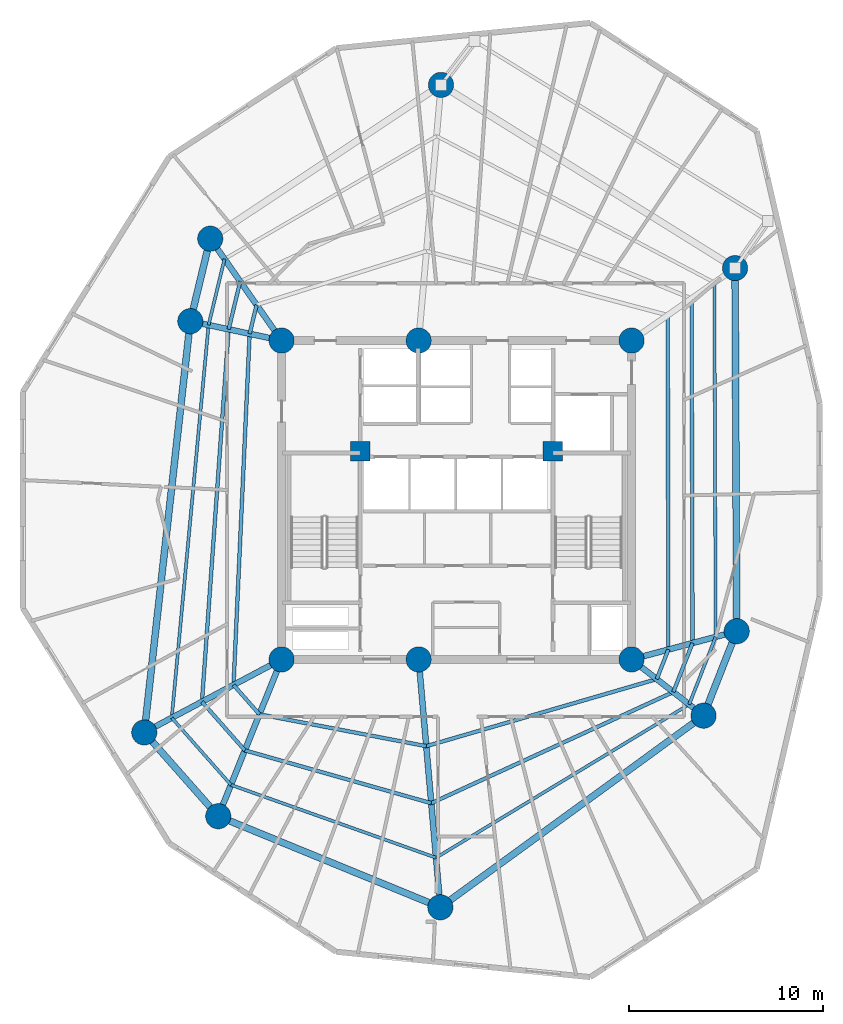
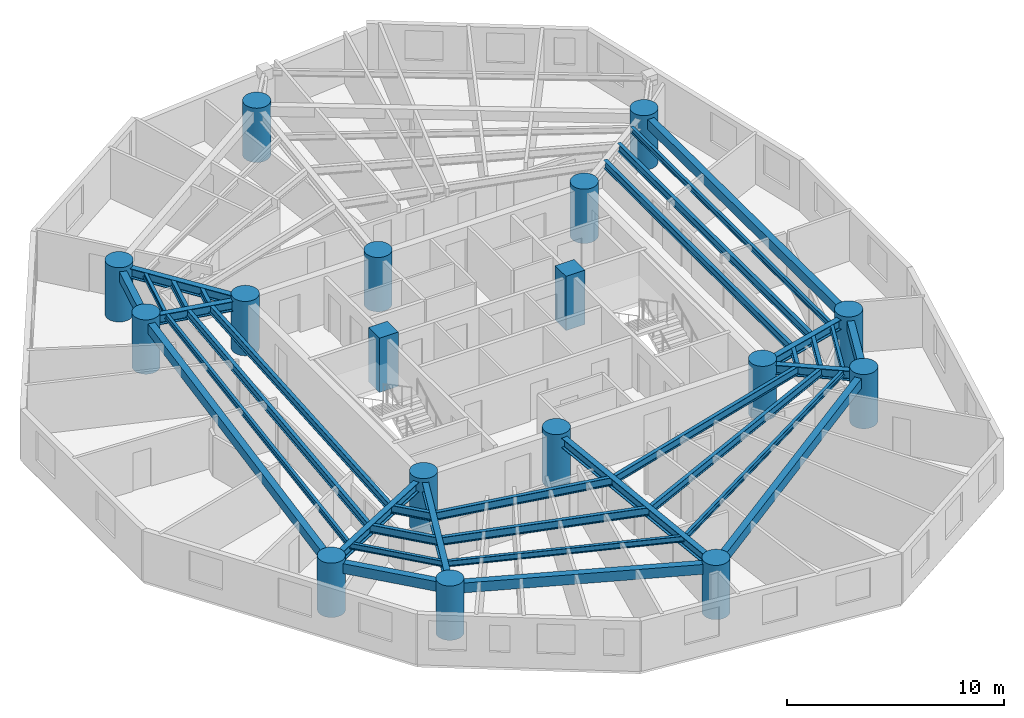
# One storey, part 1 of 8: 35 beams, 17 columns.
"""IFC4 building model written with IfcOpenShell, lengths in metres."""

import ifcopenshell
import ifcopenshell.guid

model = None  # the IFC model being written
_history = None  # IfcOwnerHistory: only IFC2X3 demands one
_inside = {}  # id of a spatial element -> (the spatial element, [elements in it])
_under = {}  # id of a project, library or spatial element -> (it, [spatial elements below it])
_declared = {}  # id of a project -> (the project, [libraries it declares])
_typed = {}  # id of a type object -> (the type object, [elements of that type])
_made_of = {}  # id of a material, layer set ... -> (it, [elements and type objects made of it])


def new_model(schema):
    """Start an empty IFC model of exactly this schema.

    Asked for "IFC4X3", IfcOpenShell would pick the latest addendum, in which some entities
    have other attributes; the version numbers below select the first issue.
    IFC2X3 requires an IfcOwnerHistory on every rooted entity: one is made here for all.
    """
    global model, _history
    if schema == "IFC4X3":
        model = ifcopenshell.file(schema_version=(4, 3, 0, 0))
    else:
        model = ifcopenshell.file(schema=schema)
    _inside.clear()
    _under.clear()
    _declared.clear()
    _typed.clear()
    _made_of.clear()
    _history = None
    if model.schema == "IFC2X3":
        org = make("IfcOrganization", Name="unknown")
        user = make(
            "IfcPersonAndOrganization",
            ThePerson=make("IfcPerson", FamilyName="unknown"),
            TheOrganization=org,
        )
        app = make(
            "IfcApplication",
            ApplicationDeveloper=org,
            Version="unknown",
            ApplicationFullName="unknown",
            ApplicationIdentifier="unknown",
        )
        _history = make(
            "IfcOwnerHistory",
            OwningUser=user,
            OwningApplication=app,
            ChangeAction="ADDED",
            CreationDate=0,
        )
    return model


def make(cls, **values):
    """One entity of the class cls with the attributes given. An attribute that is None is left unset."""
    return model.create_entity(
        cls, **{name: value for name, value in values.items() if value is not None}
    )


def rooted(cls, **values):
    """An entity with a GlobalId (a new one), such as an element, a storey or a relation."""
    return make(cls, GlobalId=ifcopenshell.guid.new(), OwnerHistory=_history, **values)


def si_unit(unit_type, name, prefix=None):
    """IfcSIUnit, for example si_unit("LENGTHUNIT", "METRE", prefix="MILLI")."""
    return make("IfcSIUnit", UnitType=unit_type, Prefix=prefix, Name=name)


def assignment(units):
    """IfcUnitAssignment: the units of a project."""
    return None if units is None else make("IfcUnitAssignment", Units=units)


def point(xyz):
    """IfcCartesianPoint."""
    return None if xyz is None else make("IfcCartesianPoint", Coordinates=xyz)


def direction(xyz):
    """IfcDirection."""
    return None if xyz is None else make("IfcDirection", DirectionRatios=xyz)


def frame(location, z_axis=None, x_axis=None):
    """IfcAxis2Placement3D, a coordinate frame: its origin and axes. An axis left out is left unset."""
    return make(
        "IfcAxis2Placement3D",
        Location=point(location),
        Axis=direction(z_axis),
        RefDirection=direction(x_axis),
    )


def frame_2d(location, x_axis=None):
    """IfcAxis2Placement2D, a coordinate frame in the plane: its origin and x axis."""
    return make(
        "IfcAxis2Placement2D", Location=point(location), RefDirection=direction(x_axis)
    )


def origin():
    """The frame at (0, 0, 0) with its axes left unset."""
    return frame((0.0, 0.0, 0.0))


def origin_with_axes():
    """The frame at (0, 0, 0) with the z axis (0, 0, 1) and the x axis (1, 0, 0) written out."""
    return frame((0.0, 0.0, 0.0), z_axis=(0.0, 0.0, 1.0), x_axis=(1.0, 0.0, 0.0))


def origin_2d():
    """The frame at (0, 0) in the plane with its x axis left unset."""
    return frame_2d((0.0, 0.0))


def place(relative_to, where):
    """IfcLocalPlacement: puts the frame where relative to a parent placement (None: the world)."""
    return make(
        "IfcLocalPlacement", PlacementRelTo=relative_to, RelativePlacement=where
    )


def context(
    kind, dimensions, precision=None, world=None, true_north=None, identifier=None
):
    """IfcGeometricRepresentationContext, for example the 3D "Model" context."""
    return make(
        "IfcGeometricRepresentationContext",
        ContextIdentifier=identifier,
        ContextType=kind,
        CoordinateSpaceDimension=dimensions,
        Precision=precision,
        WorldCoordinateSystem=world,
        TrueNorth=true_north,
    )


def subcontext(parent, identifier, kind, view, scale=None):
    """IfcGeometricRepresentationSubContext, for example "Body" below "Model"."""
    return make(
        "IfcGeometricRepresentationSubContext",
        ContextIdentifier=identifier,
        ContextType=kind,
        ParentContext=parent,
        TargetScale=scale,
        TargetView=view,
    )


def project(units=None, contexts=None):
    """IfcProject with its units and contexts."""
    return rooted(
        "IfcProject",
        Name="project",
        RepresentationContexts=contexts,
        UnitsInContext=assignment(units),
    )


def spatial(cls, under=None, at=None, **own):
    """A site, building, storey or space (cls), placed at a placement, below another one or the project."""
    s = rooted(cls, ObjectPlacement=at, **own)
    if under is not None:
        _under.setdefault(under.id(), (under, []))[1].append(s)
    return s


def profile(cls, at=None, kind="AREA", **sizes):
    """A parametric profile (cls). Its sizes go by their IFC names, for example OverallWidth=200.0."""
    return make(cls, ProfileType=kind, Position=at, **sizes)


def rectangle(**sizes):
    """IfcRectangleProfileDef."""
    return profile("IfcRectangleProfileDef", **sizes)


def circle(**sizes):
    """IfcCircleProfileDef."""
    return profile("IfcCircleProfileDef", **sizes)


def i_section(**sizes):
    """IfcIShapeProfileDef."""
    return profile("IfcIShapeProfileDef", **sizes)


def extrude(swept, where, along, depth):
    """IfcExtrudedAreaSolid: the profile swept, set in the frame where, extruded along a direction by depth."""
    return make(
        "IfcExtrudedAreaSolid",
        SweptArea=swept,
        Position=where,
        ExtrudedDirection=direction(along),
        Depth=depth,
    )


def shape(context_of_items, identifier, shape_type, items):
    """IfcShapeRepresentation: the items that make up one representation, for example the "Body"."""
    return make(
        "IfcShapeRepresentation",
        ContextOfItems=context_of_items,
        RepresentationIdentifier=identifier,
        RepresentationType=shape_type,
        Items=items,
    )


def source(mapping_origin, context_of_items, identifier, shape_type, items):
    """IfcRepresentationMap: a shape defined once, which mapped items show again and again."""
    return make(
        "IfcRepresentationMap",
        MappingOrigin=mapping_origin,
        MappedRepresentation=shape(context_of_items, identifier, shape_type, items),
    )


def transform(
    local_origin,
    x_axis=None,
    y_axis=None,
    z_axis=None,
    scale=None,
    scale2=None,
    scale3=None,
    uniform=True,
):
    """IfcCartesianTransformationOperator3D, or its non-uniform kind. x_axis, y_axis, z_axis: its Axis1, 2, 3."""
    if uniform:
        return make(
            "IfcCartesianTransformationOperator3D",
            Axis1=direction(x_axis),
            Axis2=direction(y_axis),
            LocalOrigin=point(local_origin),
            Scale=scale,
            Axis3=direction(z_axis),
        )
    return make(
        "IfcCartesianTransformationOperator3DnonUniform",
        Axis1=direction(x_axis),
        Axis2=direction(y_axis),
        LocalOrigin=point(local_origin),
        Scale=scale,
        Axis3=direction(z_axis),
        Scale2=scale2,
        Scale3=scale3,
    )


def mapped(mapping_source, mapping_target):
    """IfcMappedItem: shows the shape of a source again, moved by a transform."""
    return make(
        "IfcMappedItem", MappingSource=mapping_source, MappingTarget=mapping_target
    )


def material(Name=None, Category=None):
    """IfcMaterial."""
    return make("IfcMaterial", Name=Name, Category=Category)


def material_profile(
    of_material, cross_section, Name=None, Category=None, Priority=None
):
    """IfcMaterialProfile: a cross section and its material."""
    return make(
        "IfcMaterialProfile",
        Name=Name,
        Material=of_material,
        Profile=cross_section,
        Priority=Priority,
        Category=Category,
    )


def profile_set(profiles, Name=None, composite=None):
    """IfcMaterialProfileSet."""
    return make(
        "IfcMaterialProfileSet",
        Name=Name,
        MaterialProfiles=profiles,
        CompositeProfile=composite,
    )


def made_of(thing, what):
    """Note that an element or type object is made of a material, layer set ...; save() writes the relation."""
    if what is not None:
        _made_of.setdefault(what.id(), (what, []))[1].append(thing)
    return thing


def type_object(cls, material=None, **own):
    """A type object (cls), such as IfcWallType, which elements share."""
    return made_of(rooted(cls, **own), material)


def element(
    cls,
    number,
    at=None,
    inside=None,
    cuts=None,
    type_object=None,
    material=None,
    context=None,
    identifier="Body",
    shape_type=None,
    held_by="IfcProductDefinitionShape",
    body=None,
    shapes=None,
    **own,
):
    """One element of the class cls, such as IfcWall. Its Tag is "e" and its number.

    at: its placement. inside: the storey or other place that contains it. cuts: it is an
    opening in that element (IfcRelVoidsElement). A single representation is given by context,
    identifier, shape_type and body (its items); several are given by shapes. held_by: the class
    of the entity that holds the representations. save() writes the other relations.
    """
    e = rooted(cls, Tag="e%d" % number, ObjectPlacement=at, **own)
    if body is not None:
        shapes = [shape(context, identifier, shape_type, body)]
    if shapes is not None:
        e.Representation = make(held_by, Representations=shapes)
    if inside is not None:
        _inside.setdefault(inside.id(), (inside, []))[1].append(e)
    if cuts is not None:
        rooted(
            "IfcRelVoidsElement", RelatingBuildingElement=cuts, RelatedOpeningElement=e
        )
    if type_object is not None:
        _typed.setdefault(type_object.id(), (type_object, []))[1].append(e)
    return made_of(e, material)


def aggregate(whole, parts):
    """IfcRelAggregates: a whole, such as a stair, and the parts it consists of."""
    return rooted("IfcRelAggregates", RelatingObject=whole, RelatedObjects=parts)


def save(model, path):
    """Write the relations noted so far, then the file.

    IfcRelAggregates (storeys below a building ...), IfcRelContainedInSpatialStructure (elements
    in a storey), IfcRelDefinesByType, IfcRelAssociatesMaterial and IfcRelDeclares: one each for
    every whole, place, type object, material and project.
    """
    for whole, parts in _under.values():
        aggregate(whole, parts)
    for where, things in _inside.values():
        rooted(
            "IfcRelContainedInSpatialStructure",
            RelatedElements=things,
            RelatingStructure=where,
        )
    for kind, things in _typed.values():
        rooted("IfcRelDefinesByType", RelatedObjects=things, RelatingType=kind)
    for what, things in _made_of.values():
        rooted("IfcRelAssociatesMaterial", RelatedObjects=things, RelatingMaterial=what)
    for by, libraries in _declared.values():
        rooted("IfcRelDeclares", RelatingContext=by, RelatedDefinitions=libraries)
    model.write(path)


model = new_model("IFC4")

# Units and contexts
model_context = context("Model", 3, precision=1e-05, world=origin(), true_north=direction((0.0, 1.0)))
body_context = subcontext(model_context, "Body", "Model", "MODEL_VIEW")
ifc_project = project(units=[si_unit("LENGTHUNIT", "METRE"), si_unit("AREAUNIT", "SQUARE_METRE"), si_unit("VOLUMEUNIT", "CUBIC_METRE"), si_unit("PLANEANGLEUNIT", "RADIAN"), si_unit("MASSUNIT", "GRAM", prefix="KILO")], contexts=[model_context])

# Site, building, storey
site_placement = place(None, origin())
site = spatial("IfcSite", under=ifc_project, at=site_placement, CompositionType="ELEMENT")
building_placement = place(site_placement, origin())
building = spatial("IfcBuilding", under=site, at=building_placement, Name="Karkom Vertical University and Central Library", CompositionType="ELEMENT")
storey_placement = place(building_placement, frame((0.0, 0.0, 187.050048828125)))
storey = spatial("IfcBuildingStorey", under=building, at=storey_placement, Name="L54", CompositionType="ELEMENT", Elevation=187.050048828125)

# Columns
ifc_material_1 = material(Name="Concrete C50/60", Category="concrete")
ifc_material_profile_1 = material_profile(ifc_material_1, circle(Radius=0.64990234375, at=origin_2d()), Name="CFT-D1300")
ifc_profile_set_1 = profile_set([ifc_material_profile_1], Name="Concrete C50/60")
column_type_1 = type_object("IfcColumnType", Name="STR-COL-C-SC4", PredefinedType="COLUMN", material=ifc_profile_set_1)
shared_shape_1 = source(origin_with_axes(), body_context, "Body", "SweptSolid", [
    extrude(circle(Radius=0.64990234375, at=origin_2d()), origin(), (0.0, 0.0, 1.0), 3.050048828125),
])
for number, where, z_axis, x_axis, name in (
    (1, (19.5, 18.300048828125, 0.0), (0.0, 0.0, 1.0), (1.0, 0.0, 0.0), "Level 54 Spine Mega-Column SC-1"),
    (2, (26.550048828125, 18.300048828125, 0.0), (0.0, 0.0, 1.0), (1.0, 0.0, 0.0), "Level 54 Spine Mega-Column SC-2"),
    (3, (37.5, 18.300048828125, 0.0), (0.0, 0.0, 1.0), (1.0, 0.0, 0.0), "Level 54 Spine Mega-Column SC-3"),
    (4, (19.5, 34.699951171875, 0.0), (0.0, 0.0, 1.0), (1.0, 0.0, 0.0), "Level 54 Spine Mega-Column SC-4"),
    (5, (26.550048828125, 34.699951171875, 0.0), (0.0, 0.0, 1.0), (1.0, 0.0, 0.0), "Level 54 Spine Mega-Column SC-5"),
    (6, (37.5, 34.699951171875, 0.0), (0.0, 0.0, 1.0), (1.0, 0.0, 0.0), "Level 54 Spine Mega-Column SC-6"),
    (7, (42.908935546875, 19.7490234375, 0.0), (0.0, 0.0, 1.0), (1.0, 0.0, 0.0), "Level 54 Perimeter Mega-Column Z3-PC1"),
    (8, (42.823974609375, 38.427978515625, 0.0), (0.0, 0.0, 1.0), (1.0, 0.0, 0.0), "Level 54 Perimeter Mega-Column Z3-PC2"),
    (9, (27.699951171875, 47.85009765625, 0.0), (0.0, 0.0, 1.0), (1.0, 0.0, 0.0), "Level 54 Perimeter Mega-Column Z3-PC3"),
    (10, (15.8291015625, 39.943115234375, 0.0), (0.0, 0.0, 1.0), (1.0, 0.0, 0.0), "Level 54 Perimeter Mega-Column Z3-PC4"),
    (11, (14.804931640625, 35.697998046875, 0.0), (0.0, 0.0, 1.0), (1.0, 0.0, 0.0), "Level 54 Perimeter Mega-Column Z3-PC5"),
    (12, (12.43603515625, 14.5439453125, 0.0), (0.0, 0.0, 1.0), (1.0, 0.0, 0.0), "Level 54 Perimeter Mega-Column Z3-PC6"),
    (13, (16.240966796875, 10.23388671875, 0.0), (0.0, 0.0, 1.0), (1.0, 0.0, 0.0), "Level 54 Perimeter Mega-Column Z3-PC7"),
    (14, (27.666015625, 5.549072265625, 0.0), (0.0, 0.0, 1.0), (1.0, 0.0, 0.0), "Level 54 Perimeter Mega-Column Z3-PC8"),
    (15, (41.2041015625, 15.406005859375, 0.0), (0.0, 0.0, 1.0), (1.0, 0.0, 0.0), "Level 54 Perimeter Mega-Column Z3-PC9"),
):
    element("IfcColumn", number, at=place(storey_placement, frame(where, z_axis=z_axis, x_axis=x_axis)), inside=storey, type_object=column_type_1, Name=name, PredefinedType="COLUMN", context=body_context, shape_type="MappedRepresentation", body=[
        mapped(shared_shape_1, transform((0.0, 0.0, 0.0), scale=1.0)),
    ])
ifc_material_profile_2 = material_profile(ifc_material_1, rectangle(XDim=1.0, YDim=1.0, at=origin_2d()), Name="RC-1000x1000")
ifc_profile_set_2 = profile_set([ifc_material_profile_2], Name="Concrete C50/60")
column_type_2 = type_object("IfcColumnType", Name="STR-COL-C-CC2", PredefinedType="COLUMN", material=ifc_profile_set_2)
shared_shape_2 = source(origin_with_axes(), body_context, "Body", "SweptSolid", [
    extrude(rectangle(XDim=1.0, YDim=1.0, at=origin_2d()), origin(), (0.0, 0.0, 1.0), 3.050048828125),
])
for number, where, z_axis, x_axis, name in (
    (16, (23.550048828125, 29.0, 0.0), (0.0, 0.0, 1.0), (1.0, 0.0, 0.0), "Level 54 Core Node Column CC-1"),
    (17, (33.449951171875, 29.0, 0.0), (0.0, 0.0, 1.0), (1.0, 0.0, 0.0), "Level 54 Core Node Column CC-2"),
):
    element("IfcColumn", number, at=place(storey_placement, frame(where, z_axis=z_axis, x_axis=x_axis)), inside=storey, type_object=column_type_2, Name=name, PredefinedType="COLUMN", context=body_context, shape_type="MappedRepresentation", body=[
        mapped(shared_shape_2, transform((0.0, 0.0, 0.0), scale=1.0)),
    ])

# Beams
ifc_material_2 = material(Name="Precast concrete C45/55", Category="concrete")
ifc_material_profile_3 = material_profile(ifc_material_2, rectangle(XDim=0.35009765625, YDim=0.550048828125, at=origin_2d()), Name="SPB-350x550")
ifc_profile_set_3 = profile_set([ifc_material_profile_3], Name="Precast concrete C45/55")
beam_type_1 = type_object("IfcBeamType", Name="STR-BM-SP-2", PredefinedType="SPANDREL", material=ifc_profile_set_3)
shared_shape_3 = source(origin_with_axes(), body_context, "Body", "SweptSolid", [
    extrude(rectangle(XDim=0.35009765625, YDim=0.550048828125, at=origin_2d()), origin(), (0.0, 0.0, 1.0), 18.67919921875),
])
beam_1_placement = place(storey_placement, frame((42.908935546875, 19.7490234375, 2.550048828125), z_axis=(-0.004548437442, 0.999989655805, 0.0), x_axis=(-0.999989655805, -0.004548437442, 0.0)))
element("IfcBeam", 18, at=beam_1_placement, inside=storey, type_object=beam_type_1, Name="Level 54 Perimeter Spandrel Beam 01", PredefinedType="SPANDREL", context=body_context, shape_type="MappedRepresentation", body=[
    mapped(shared_shape_3, transform((0.0, 0.0, 0.0), scale=1.0)),
])
shared_shape_4 = source(origin_with_axes(), body_context, "Body", "SweptSolid", [
    extrude(rectangle(XDim=0.35009765625, YDim=0.550048828125, at=origin_2d()), origin(), (0.0, 0.0, 1.0), 4.366943359375),
])
beam_2_placement = place(storey_placement, frame((15.8291015625, 39.943115234375, 2.550048828125), z_axis=(-0.234529408772, -0.972109024966, 0.0), x_axis=(0.972109024966, -0.234529408772, 0.0)))
element("IfcBeam", 19, at=beam_2_placement, inside=storey, type_object=beam_type_1, Name="Level 54 Perimeter Spandrel Beam 04", PredefinedType="SPANDREL", context=body_context, shape_type="MappedRepresentation", body=[
    mapped(shared_shape_4, transform((0.0, 0.0, 0.0), scale=1.0)),
])
shared_shape_5 = source(origin_with_axes(), body_context, "Body", "SweptSolid", [
    extrude(rectangle(XDim=0.35009765625, YDim=0.550048828125, at=origin_2d()), origin(), (0.0, 0.0, 1.0), 21.286376953125),
])
beam_3_placement = place(storey_placement, frame((14.804931640625, 35.697998046875, 2.550048828125), z_axis=(-0.111287493264, -0.993788254028, 0.0), x_axis=(0.993788254028, -0.111287493264, 0.0)))
element("IfcBeam", 20, at=beam_3_placement, inside=storey, type_object=beam_type_1, Name="Level 54 Perimeter Spandrel Beam 05", PredefinedType="SPANDREL", context=body_context, shape_type="MappedRepresentation", body=[
    mapped(shared_shape_5, transform((0.0, 0.0, 0.0), scale=1.0)),
])
shared_shape_6 = source(origin_with_axes(), body_context, "Body", "SweptSolid", [
    extrude(rectangle(XDim=0.35009765625, YDim=0.550048828125, at=origin_2d()), origin(), (0.0, 0.0, 1.0), 5.749267578125),
])
beam_4_placement = place(storey_placement, frame((12.43603515625, 14.5439453125, 2.550048828125), z_axis=(0.661811219671, -0.74967053398, 0.0), x_axis=(0.74967053398, 0.661811219671, 0.0)))
element("IfcBeam", 21, at=beam_4_placement, inside=storey, type_object=beam_type_1, Name="Level 54 Perimeter Spandrel Beam 06", PredefinedType="SPANDREL", context=body_context, shape_type="MappedRepresentation", body=[
    mapped(shared_shape_6, transform((0.0, 0.0, 0.0), scale=1.0)),
])
shared_shape_7 = source(origin_with_axes(), body_context, "Body", "SweptSolid", [
    extrude(rectangle(XDim=0.35009765625, YDim=0.550048828125, at=origin_2d()), origin(), (0.0, 0.0, 1.0), 12.34814453125),
])
beam_5_placement = place(storey_placement, frame((16.240966796875, 10.23388671875, 2.550048828125), z_axis=(0.925236428984, -0.37939102583, 0.0), x_axis=(0.37939102583, 0.925236428984, 0.0)))
element("IfcBeam", 22, at=beam_5_placement, inside=storey, type_object=beam_type_1, Name="Level 54 Perimeter Spandrel Beam 07", PredefinedType="SPANDREL", context=body_context, shape_type="MappedRepresentation", body=[
    mapped(shared_shape_7, transform((0.0, 0.0, 0.0), scale=1.0)),
])
shared_shape_8 = source(origin_with_axes(), body_context, "Body", "SweptSolid", [
    extrude(rectangle(XDim=0.35009765625, YDim=0.550048828125, at=origin_2d()), origin(), (0.0, 0.0, 1.0), 16.746337890625),
])
beam_6_placement = place(storey_placement, frame((27.666015625, 5.549072265625, 2.550048828125), z_axis=(0.808422013284, 0.588603303115, 0.0), x_axis=(-0.588603303115, 0.808422013284, 0.0)))
element("IfcBeam", 23, at=beam_6_placement, inside=storey, type_object=beam_type_1, Name="Level 54 Perimeter Spandrel Beam 08", PredefinedType="SPANDREL", context=body_context, shape_type="MappedRepresentation", body=[
    mapped(shared_shape_8, transform((0.0, 0.0, 0.0), scale=1.0)),
])
shared_shape_9 = source(origin_with_axes(), body_context, "Body", "SweptSolid", [
    extrude(rectangle(XDim=0.35009765625, YDim=0.550048828125, at=origin_2d()), origin(), (0.0, 0.0, 1.0), 4.66552734375),
])
beam_7_placement = place(storey_placement, frame((41.2041015625, 15.406005859375, 2.550048828125), z_axis=(0.365401419454, 0.930850043058, 0.0), x_axis=(-0.930850043058, 0.365401419454, 0.0)))
element("IfcBeam", 24, at=beam_7_placement, inside=storey, type_object=beam_type_1, Name="Level 54 Perimeter Spandrel Beam 09", PredefinedType="SPANDREL", context=body_context, shape_type="MappedRepresentation", body=[
    mapped(shared_shape_9, transform((0.0, 0.0, 0.0), scale=1.0)),
])
ifc_material_3 = material(Name="Steel S355", Category="steel")
ifc_material_profile_4 = material_profile(ifc_material_3, i_section(OverallWidth=0.18994140625, OverallDepth=0.449951171875, WebThickness=0.009521484375, FlangeThickness=0.0146484375, FilletRadius=0.02099609375, at=origin_2d()), Name="IPE 450")
ifc_profile_set_4 = profile_set([ifc_material_profile_4], Name="Steel S355")
beam_type_2 = type_object("IfcBeamType", Name="STR-BM-SB-IPE450", PredefinedType="BEAM", material=ifc_profile_set_4)
shared_shape_10 = source(origin_with_axes(), body_context, "Body", "SweptSolid", [
    extrude(i_section(OverallWidth=0.18994140625, OverallDepth=0.449951171875, WebThickness=0.009521484375, FlangeThickness=0.0146484375, FilletRadius=0.02099609375, at=origin_2d()), origin(), (0.0, 0.0, 1.0), 17.19775390625),
])
beam_8_placement = place(storey_placement, frame((39.39306640625, 18.80712890625, 2.599853515625), z_axis=(-0.001731918699, 0.999998500228, 0.0), x_axis=(-0.999998500228, -0.001731918699, 0.0)))
element("IfcBeam", 25, at=beam_8_placement, inside=storey, type_object=beam_type_2, Name="Level 54 Secondary Composite Floor Beam 1.01", PredefinedType="BEAM", context=body_context, shape_type="MappedRepresentation", body=[
    mapped(shared_shape_10, transform((0.0, 0.0, 0.0), scale=1.0)),
])
shared_shape_11 = source(origin_with_axes(), body_context, "Body", "SweptSolid", [
    extrude(i_section(OverallWidth=0.18994140625, OverallDepth=0.449951171875, WebThickness=0.009521484375, FlangeThickness=0.0146484375, FilletRadius=0.02099609375, at=origin_2d()), origin(), (0.0, 0.0, 1.0), 1.5283203125),
])
beam_9_placement = place(storey_placement, frame((18.215087890625, 36.534912109375, 2.599853515625), z_axis=(-0.234520804587, -0.972111100757, 0.0), x_axis=(0.972111100757, -0.234520804587, 0.0)))
element("IfcBeam", 26, at=beam_9_placement, inside=storey, type_object=beam_type_2, Name="Level 54 Secondary Composite Floor Beam 1.04", PredefinedType="BEAM", context=body_context, shape_type="MappedRepresentation", body=[
    mapped(shared_shape_11, transform((0.0, 0.0, 0.0), scale=1.0)),
])
shared_shape_12 = source(origin_with_axes(), body_context, "Body", "SweptSolid", [
    extrude(i_section(OverallWidth=0.18994140625, OverallDepth=0.449951171875, WebThickness=0.009521484375, FlangeThickness=0.0146484375, FilletRadius=0.02099609375, at=origin_2d()), origin(), (0.0, 0.0, 1.0), 18.0830078125),
])
beam_10_placement = place(storey_placement, frame((17.856689453125, 35.04931640625, 2.599853515625), z_axis=(-0.04584982532, -0.998948343769, 0.0), x_axis=(0.998948343769, -0.04584982532, 0.0)))
element("IfcBeam", 27, at=beam_10_placement, inside=storey, type_object=beam_type_2, Name="Level 54 Secondary Composite Floor Beam 1.05", PredefinedType="BEAM", context=body_context, shape_type="MappedRepresentation", body=[
    mapped(shared_shape_12, transform((0.0, 0.0, 0.0), scale=1.0)),
])
shared_shape_13 = source(origin_with_axes(), body_context, "Body", "SweptSolid", [
    extrude(i_section(OverallWidth=0.18994140625, OverallDepth=0.449951171875, WebThickness=0.009521484375, FlangeThickness=0.0146484375, FilletRadius=0.02099609375, at=origin_2d()), origin(), (0.0, 0.0, 1.0), 2.01220703125),
])
beam_11_placement = place(storey_placement, frame((17.027587890625, 16.9853515625, 2.599853515625), z_axis=(0.661822246424, -0.749660799387, 0.0), x_axis=(0.749660799387, 0.661822246424, 0.0)))
element("IfcBeam", 28, at=beam_11_placement, inside=storey, type_object=beam_type_2, Name="Level 54 Secondary Composite Floor Beam 1.06", PredefinedType="BEAM", context=body_context, shape_type="MappedRepresentation", body=[
    mapped(shared_shape_13, transform((0.0, 0.0, 0.0), scale=1.0)),
])
shared_shape_14 = source(origin_with_axes(), body_context, "Body", "SweptSolid", [
    extrude(i_section(OverallWidth=0.18994140625, OverallDepth=0.449951171875, WebThickness=0.009521484375, FlangeThickness=0.0146484375, FilletRadius=0.02099609375, at=origin_2d()), origin(), (0.0, 0.0, 1.0), 8.736572265625),
])
beam_12_placement = place(storey_placement, frame((18.359375, 15.476806640625, 2.599853515625), z_axis=(0.982230782932, -0.187677087205, 0.0), x_axis=(0.187677087205, 0.982230782932, 0.0)))
element("IfcBeam", 29, at=beam_12_placement, inside=storey, type_object=beam_type_2, Name="Level 54 Secondary Composite Floor Beam 1.07", PredefinedType="BEAM", context=body_context, shape_type="MappedRepresentation", body=[
    mapped(shared_shape_14, transform((0.0, 0.0, 0.0), scale=1.0)),
])
shared_shape_15 = source(origin_with_axes(), body_context, "Body", "SweptSolid", [
    extrude(i_section(OverallWidth=0.18994140625, OverallDepth=0.449951171875, WebThickness=0.009521484375, FlangeThickness=0.0146484375, FilletRadius=0.02099609375, at=origin_2d()), origin(), (0.0, 0.0, 1.0), 12.347412109375),
])
beam_13_placement = place(storey_placement, frame((26.940673828125, 13.837158203125, 2.599853515625), z_axis=(0.960173212987, 0.279405442077, 0.0), x_axis=(-0.279405442077, 0.960173212987, 0.0)))
element("IfcBeam", 30, at=beam_13_placement, inside=storey, type_object=beam_type_2, Name="Level 54 Secondary Composite Floor Beam 1.08", PredefinedType="BEAM", context=body_context, shape_type="MappedRepresentation", body=[
    mapped(shared_shape_15, transform((0.0, 0.0, 0.0), scale=1.0)),
])
shared_shape_16 = source(origin_with_axes(), body_context, "Body", "SweptSolid", [
    extrude(i_section(OverallWidth=0.18994140625, OverallDepth=0.449951171875, WebThickness=0.009521484375, FlangeThickness=0.0146484375, FilletRadius=0.02099609375, at=origin_2d()), origin(), (0.0, 0.0, 1.0), 1.633056640625),
])
beam_14_placement = place(storey_placement, frame((38.79638671875, 17.287109375, 2.599853515625), z_axis=(0.365402570083, 0.930849591382, 0.0), x_axis=(-0.930849591382, 0.365402570083, 0.0)))
element("IfcBeam", 31, at=beam_14_placement, inside=storey, type_object=beam_type_2, Name="Level 54 Secondary Composite Floor Beam 1.09", PredefinedType="BEAM", context=body_context, shape_type="MappedRepresentation", body=[
    mapped(shared_shape_16, transform((0.0, 0.0, 0.0), scale=1.0)),
])
shared_shape_17 = source(origin_with_axes(), body_context, "Body", "SweptSolid", [
    extrude(i_section(OverallWidth=0.18994140625, OverallDepth=0.449951171875, WebThickness=0.009521484375, FlangeThickness=0.0146484375, FilletRadius=0.02099609375, at=origin_2d()), origin(), (0.0, 0.0, 1.0), 17.721923828125),
])
beam_15_placement = place(storey_placement, frame((40.63720703125, 19.140380859375, 2.599853515625), z_axis=(-0.002782780006, 0.99999612806, 0.0), x_axis=(-0.99999612806, -0.002782780006, 0.0)))
element("IfcBeam", 32, at=beam_15_placement, inside=storey, type_object=beam_type_2, Name="Level 54 Secondary Composite Floor Beam 2.01", PredefinedType="BEAM", context=body_context, shape_type="MappedRepresentation", body=[
    mapped(shared_shape_17, transform((0.0, 0.0, 0.0), scale=1.0)),
])
shared_shape_18 = source(origin_with_axes(), body_context, "Body", "SweptSolid", [
    extrude(i_section(OverallWidth=0.18994140625, OverallDepth=0.449951171875, WebThickness=0.009521484375, FlangeThickness=0.0146484375, FilletRadius=0.02099609375, at=origin_2d()), origin(), (0.0, 0.0, 1.0), 2.53271484375),
])
beam_16_placement = place(storey_placement, frame((17.370849609375, 37.740966796875, 2.599853515625), z_axis=(-0.234521178828, -0.972111010472, 0.0), x_axis=(0.972111010472, -0.234521178828, 0.0)))
element("IfcBeam", 33, at=beam_16_placement, inside=storey, type_object=beam_type_2, Name="Level 54 Secondary Composite Floor Beam 2.04", PredefinedType="BEAM", context=body_context, shape_type="MappedRepresentation", body=[
    mapped(shared_shape_18, transform((0.0, 0.0, 0.0), scale=1.0)),
])
shared_shape_19 = source(origin_with_axes(), body_context, "Body", "SweptSolid", [
    extrude(i_section(OverallWidth=0.18994140625, OverallDepth=0.449951171875, WebThickness=0.009521484375, FlangeThickness=0.0146484375, FilletRadius=0.02099609375, at=origin_2d()), origin(), (0.0, 0.0, 1.0), 19.20654296875),
])
beam_17_placement = place(storey_placement, frame((16.77685546875, 35.27880859375, 2.599853515625), z_axis=(-0.071539731632, -0.997437750839, 0.0), x_axis=(0.997437750839, -0.071539731632, 0.0)))
element("IfcBeam", 34, at=beam_17_placement, inside=storey, type_object=beam_type_2, Name="Level 54 Secondary Composite Floor Beam 2.05", PredefinedType="BEAM", context=body_context, shape_type="MappedRepresentation", body=[
    mapped(shared_shape_19, transform((0.0, 0.0, 0.0), scale=1.0)),
])
shared_shape_20 = source(origin_with_axes(), body_context, "Body", "SweptSolid", [
    extrude(i_section(OverallWidth=0.18994140625, OverallDepth=0.449951171875, WebThickness=0.009521484375, FlangeThickness=0.0146484375, FilletRadius=0.02099609375, at=origin_2d()), origin(), (0.0, 0.0, 1.0), 3.334716796875),
])
beam_18_placement = place(storey_placement, frame((15.40283203125, 16.12158203125, 2.599853515625), z_axis=(0.661815321502, -0.749666912852, 0.0), x_axis=(0.749666912852, 0.661815321502, 0.0)))
element("IfcBeam", 35, at=beam_18_placement, inside=storey, type_object=beam_type_2, Name="Level 54 Secondary Composite Floor Beam 2.06", PredefinedType="BEAM", context=body_context, shape_type="MappedRepresentation", body=[
    mapped(shared_shape_20, transform((0.0, 0.0, 0.0), scale=1.0)),
])
shared_shape_21 = source(origin_with_axes(), body_context, "Body", "SweptSolid", [
    extrude(i_section(OverallWidth=0.18994140625, OverallDepth=0.449951171875, WebThickness=0.009521484375, FlangeThickness=0.0146484375, FilletRadius=0.02099609375, at=origin_2d()), origin(), (0.0, 0.0, 1.0), 9.965087890625),
])
beam_19_placement = place(storey_placement, frame((17.60986328125, 13.62158203125, 2.599853515625), z_axis=(0.962104232935, -0.272681948372, 0.0), x_axis=(0.272681948372, 0.962104232935, 0.0)))
element("IfcBeam", 36, at=beam_19_placement, inside=storey, type_object=beam_type_2, Name="Level 54 Secondary Composite Floor Beam 2.07", PredefinedType="BEAM", context=body_context, shape_type="MappedRepresentation", body=[
    mapped(shared_shape_21, transform((0.0, 0.0, 0.0), scale=1.0)),
])
shared_shape_22 = source(origin_with_axes(), body_context, "Body", "SweptSolid", [
    extrude(i_section(OverallWidth=0.18994140625, OverallDepth=0.449951171875, WebThickness=0.009521484375, FlangeThickness=0.0146484375, FilletRadius=0.02099609375, at=origin_2d()), origin(), (0.0, 0.0, 1.0), 13.700927734375),
])
beam_20_placement = place(storey_placement, frame((27.197265625, 10.904296875, 2.599853515625), z_axis=(0.908771280691, 0.417294571486, 0.0), x_axis=(-0.417294571486, 0.908771280691, 0.0)))
element("IfcBeam", 37, at=beam_20_placement, inside=storey, type_object=beam_type_2, Name="Level 54 Secondary Composite Floor Beam 2.08", PredefinedType="BEAM", context=body_context, shape_type="MappedRepresentation", body=[
    mapped(shared_shape_22, transform((0.0, 0.0, 0.0), scale=1.0)),
])
shared_shape_23 = source(origin_with_axes(), body_context, "Body", "SweptSolid", [
    extrude(i_section(OverallWidth=0.18994140625, OverallDepth=0.449951171875, WebThickness=0.009521484375, FlangeThickness=0.0146484375, FilletRadius=0.02099609375, at=origin_2d()), origin(), (0.0, 0.0, 1.0), 2.7060546875),
])
beam_21_placement = place(storey_placement, frame((39.648193359375, 16.62158203125, 2.599853515625), z_axis=(0.365487674906, 0.930816179217, 0.0), x_axis=(-0.930816179217, 0.365487674906, 0.0)))
element("IfcBeam", 38, at=beam_21_placement, inside=storey, type_object=beam_type_2, Name="Level 54 Secondary Composite Floor Beam 2.09", PredefinedType="BEAM", context=body_context, shape_type="MappedRepresentation", body=[
    mapped(shared_shape_23, transform((0.0, 0.0, 0.0), scale=1.0)),
])
ifc_material_profile_5 = material_profile(ifc_material_3, i_section(OverallWidth=0.159912109375, OverallDepth=0.330078125, WebThickness=0.007568359375, FlangeThickness=0.011474609375, FilletRadius=0.01806640625, at=origin_2d()), Name="IPE 330")
ifc_profile_set_5 = profile_set([ifc_material_profile_5], Name="Steel S355")
beam_type_3 = type_object("IfcBeamType", Name="STR-BM-SB-IPE330", PredefinedType="BEAM", material=ifc_profile_set_5)
shared_shape_24 = source(origin_with_axes(), body_context, "Body", "SweptSolid", [
    extrude(i_section(OverallWidth=0.159912109375, OverallDepth=0.330078125, WebThickness=0.007568359375, FlangeThickness=0.011474609375, FilletRadius=0.01806640625, at=origin_2d()), origin(), (0.0, 0.0, 1.0), 18.223388671875),
])
beam_22_placement = place(storey_placement, frame((41.8271484375, 19.459228515625, 2.659912109375), z_axis=(-0.003724418851, 0.999993064328, 0.0), x_axis=(-0.999993064328, -0.003724418851, 0.0)))
element("IfcBeam", 39, at=beam_22_placement, inside=storey, type_object=beam_type_3, Name="Level 54 Secondary Composite Floor Beam 3.01", PredefinedType="BEAM", context=body_context, shape_type="MappedRepresentation", body=[
    mapped(shared_shape_24, transform((0.0, 0.0, 0.0), scale=1.0)),
])
shared_shape_25 = source(origin_with_axes(), body_context, "Body", "SweptSolid", [
    extrude(i_section(OverallWidth=0.159912109375, OverallDepth=0.330078125, WebThickness=0.007568359375, FlangeThickness=0.011474609375, FilletRadius=0.01806640625, at=origin_2d()), origin(), (0.0, 0.0, 1.0), 3.493408203125),
])
beam_23_placement = place(storey_placement, frame((16.563232421875, 38.894287109375, 2.659912109375), z_axis=(-0.234535781995, -0.972107487351, 0.0), x_axis=(0.972107487351, -0.234535781995, 0.0)))
element("IfcBeam", 40, at=beam_23_placement, inside=storey, type_object=beam_type_3, Name="Level 54 Secondary Composite Floor Beam 3.04", PredefinedType="BEAM", context=body_context, shape_type="MappedRepresentation", body=[
    mapped(shared_shape_25, transform((0.0, 0.0, 0.0), scale=1.0)),
])
shared_shape_26 = source(origin_with_axes(), body_context, "Body", "SweptSolid", [
    extrude(i_section(OverallWidth=0.159912109375, OverallDepth=0.330078125, WebThickness=0.007568359375, FlangeThickness=0.011474609375, FilletRadius=0.01806640625, at=origin_2d()), origin(), (0.0, 0.0, 1.0), 20.291748046875),
])
beam_24_placement = place(storey_placement, frame((15.743896484375, 35.498291015625, 2.659912109375), z_axis=(-0.093388415244, -0.995629752417, 0.0), x_axis=(0.995629752417, -0.093388415244, 0.0)))
element("IfcBeam", 41, at=beam_24_placement, inside=storey, type_object=beam_type_3, Name="Level 54 Secondary Composite Floor Beam 3.05", PredefinedType="BEAM", context=body_context, shape_type="MappedRepresentation", body=[
    mapped(shared_shape_26, transform((0.0, 0.0, 0.0), scale=1.0)),
])
shared_shape_27 = source(origin_with_axes(), body_context, "Body", "SweptSolid", [
    extrude(i_section(OverallWidth=0.159912109375, OverallDepth=0.330078125, WebThickness=0.007568359375, FlangeThickness=0.011474609375, FilletRadius=0.01806640625, at=origin_2d()), origin(), (0.0, 0.0, 1.0), 4.599365234375),
])
beam_25_placement = place(storey_placement, frame((13.848876953125, 15.295166015625, 2.659912109375), z_axis=(0.661816486801, -0.74966588411, 0.0), x_axis=(0.74966588411, 0.661816486801, 0.0)))
element("IfcBeam", 42, at=beam_25_placement, inside=storey, type_object=beam_type_3, Name="Level 54 Secondary Composite Floor Beam 3.06", PredefinedType="BEAM", context=body_context, shape_type="MappedRepresentation", body=[
    mapped(shared_shape_27, transform((0.0, 0.0, 0.0), scale=1.0)),
])
shared_shape_28 = source(origin_with_axes(), body_context, "Body", "SweptSolid", [
    extrude(i_section(OverallWidth=0.159912109375, OverallDepth=0.330078125, WebThickness=0.007568359375, FlangeThickness=0.011474609375, FilletRadius=0.01806640625, at=origin_2d()), origin(), (0.0, 0.0, 1.0), 11.196044921875),
])
beam_26_placement = place(storey_placement, frame((16.892822265625, 11.84716796875, 2.659912109375), z_axis=(0.942301538336, -0.334765307119, 0.0), x_axis=(0.334765307119, 0.942301538336, 0.0)))
element("IfcBeam", 43, at=beam_26_placement, inside=storey, type_object=beam_type_3, Name="Level 54 Secondary Composite Floor Beam 3.07", PredefinedType="BEAM", context=body_context, shape_type="MappedRepresentation", body=[
    mapped(shared_shape_28, transform((0.0, 0.0, 0.0), scale=1.0)),
])
shared_shape_29 = source(origin_with_axes(), body_context, "Body", "SweptSolid", [
    extrude(i_section(OverallWidth=0.159912109375, OverallDepth=0.330078125, WebThickness=0.007568359375, FlangeThickness=0.011474609375, FilletRadius=0.01806640625, at=origin_2d()), origin(), (0.0, 0.0, 1.0), 15.22216796875),
])
beam_27_placement = place(storey_placement, frame((27.44287109375, 8.09912109375, 2.659912109375), z_axis=(0.855352900974, 0.518045765155, 0.0), x_axis=(-0.518045765155, 0.855352900974, 0.0)))
element("IfcBeam", 44, at=beam_27_placement, inside=storey, type_object=beam_type_3, Name="Level 54 Secondary Composite Floor Beam 3.08", PredefinedType="BEAM", context=body_context, shape_type="MappedRepresentation", body=[
    mapped(shared_shape_29, transform((0.0, 0.0, 0.0), scale=1.0)),
])
shared_shape_30 = source(origin_with_axes(), body_context, "Body", "SweptSolid", [
    extrude(i_section(OverallWidth=0.159912109375, OverallDepth=0.330078125, WebThickness=0.007568359375, FlangeThickness=0.011474609375, FilletRadius=0.01806640625, at=origin_2d()), origin(), (0.0, 0.0, 1.0), 3.732421875),
])
beam_28_placement = place(storey_placement, frame((40.463134765625, 15.98486328125, 2.659912109375), z_axis=(0.365439874109, 0.930834946922, 0.0), x_axis=(-0.930834946922, 0.365439874109, 0.0)))
element("IfcBeam", 45, at=beam_28_placement, inside=storey, type_object=beam_type_3, Name="Level 54 Secondary Composite Floor Beam 3.09", PredefinedType="BEAM", context=body_context, shape_type="MappedRepresentation", body=[
    mapped(shared_shape_30, transform((0.0, 0.0, 0.0), scale=1.0)),
])
ifc_material_profile_6 = material_profile(ifc_material_3, i_section(OverallWidth=0.300048828125, OverallDepth=0.550048828125, WebThickness=0.014892578125, FlangeThickness=0.029052734375, FilletRadius=0.027099609375, at=origin_2d()), Name="HE 550 B")
ifc_profile_set_6 = profile_set([ifc_material_profile_6], Name="Steel S355")
beam_type_4 = type_object("IfcBeamType", Name="STR-BM-SB-HE550", PredefinedType="USERDEFINED", material=ifc_profile_set_6)
shared_shape_31 = source(origin_with_axes(), body_context, "Body", "SweptSolid", [
    extrude(i_section(OverallWidth=0.300048828125, OverallDepth=0.550048828125, WebThickness=0.014892578125, FlangeThickness=0.029052734375, FilletRadius=0.027099609375, at=origin_2d()), origin(), (0.0, 0.0, 1.0), 5.599609375),
])
beam_29_placement = place(storey_placement, frame((37.5, 18.300048828125, 2.550048828125), z_axis=(0.965941240814, 0.258761510459, 0.0), x_axis=(-0.258761510459, 0.965941240814, 0.0)))
element("IfcBeam", 46, at=beam_29_placement, inside=storey, type_object=beam_type_4, Name="Level 54 Radial Frame Girder 01", ObjectType="GIRDER", PredefinedType="USERDEFINED", context=body_context, shape_type="MappedRepresentation", body=[
    mapped(shared_shape_31, transform((0.0, 0.0, 0.0), scale=1.0)),
])
shared_shape_32 = source(origin_with_axes(), body_context, "Body", "SweptSolid", [
    extrude(i_section(OverallWidth=0.300048828125, OverallDepth=0.550048828125, WebThickness=0.014892578125, FlangeThickness=0.029052734375, FilletRadius=0.027099609375, at=origin_2d()), origin(), (0.0, 0.0, 1.0), 6.400390625),
])
beam_30_placement = place(storey_placement, frame((19.5, 34.699951171875, 2.550048828125), z_axis=(-0.573534022273, 0.81918174131, 0.0), x_axis=(-0.81918174131, -0.573534022273, 0.0)))
element("IfcBeam", 47, at=beam_30_placement, inside=storey, type_object=beam_type_4, Name="Level 54 Radial Frame Girder 04", ObjectType="GIRDER", PredefinedType="USERDEFINED", context=body_context, shape_type="MappedRepresentation", body=[
    mapped(shared_shape_32, transform((0.0, 0.0, 0.0), scale=1.0)),
])
shared_shape_33 = source(origin_with_axes(), body_context, "Body", "SweptSolid", [
    extrude(i_section(OverallWidth=0.300048828125, OverallDepth=0.550048828125, WebThickness=0.014892578125, FlangeThickness=0.029052734375, FilletRadius=0.027099609375, at=origin_2d()), origin(), (0.0, 0.0, 1.0), 4.800048828125),
])
beam_31_placement = place(storey_placement, frame((19.5, 34.699951171875, 2.550048828125), z_axis=(-0.978144241295, 0.207927495108, 0.0), x_axis=(-0.207927495108, -0.978144241295, 0.0)))
element("IfcBeam", 48, at=beam_31_placement, inside=storey, type_object=beam_type_4, Name="Level 54 Radial Frame Girder 05", ObjectType="GIRDER", PredefinedType="USERDEFINED", context=body_context, shape_type="MappedRepresentation", body=[
    mapped(shared_shape_33, transform((0.0, 0.0, 0.0), scale=1.0)),
])
shared_shape_34 = source(origin_with_axes(), body_context, "Body", "SweptSolid", [
    extrude(i_section(OverallWidth=0.300048828125, OverallDepth=0.550048828125, WebThickness=0.014892578125, FlangeThickness=0.029052734375, FilletRadius=0.027099609375, at=origin_2d()), origin(), (0.0, 0.0, 1.0), 8.00048828125),
])
beam_32_placement = place(storey_placement, frame((19.5, 18.300048828125, 2.550048828125), z_axis=(-0.882941023922, -0.46948391695, 0.0), x_axis=(0.46948391695, -0.882941023922, 0.0)))
element("IfcBeam", 49, at=beam_32_placement, inside=storey, type_object=beam_type_4, Name="Level 54 Radial Frame Girder 06", ObjectType="GIRDER", PredefinedType="USERDEFINED", context=body_context, shape_type="MappedRepresentation", body=[
    mapped(shared_shape_34, transform((0.0, 0.0, 0.0), scale=1.0)),
])
shared_shape_35 = source(origin_with_axes(), body_context, "Body", "SweptSolid", [
    extrude(i_section(OverallWidth=0.300048828125, OverallDepth=0.550048828125, WebThickness=0.014892578125, FlangeThickness=0.029052734375, FilletRadius=0.027099609375, at=origin_2d()), origin(), (0.0, 0.0, 1.0), 8.69970703125),
])
beam_33_placement = place(storey_placement, frame((19.5, 18.300048828125, 2.550048828125), z_axis=(-0.374615701214, -0.927180174725, 0.0), x_axis=(0.927180174725, -0.374615701214, 0.0)))
element("IfcBeam", 50, at=beam_33_placement, inside=storey, type_object=beam_type_4, Name="Level 54 Radial Frame Girder 07", ObjectType="GIRDER", PredefinedType="USERDEFINED", context=body_context, shape_type="MappedRepresentation", body=[
    mapped(shared_shape_35, transform((0.0, 0.0, 0.0), scale=1.0)),
])
shared_shape_36 = source(origin_with_axes(), body_context, "Body", "SweptSolid", [
    extrude(i_section(OverallWidth=0.300048828125, OverallDepth=0.550048828125, WebThickness=0.014892578125, FlangeThickness=0.029052734375, FilletRadius=0.027099609375, at=origin_2d()), origin(), (0.0, 0.0, 1.0), 12.7998046875),
])
beam_34_placement = place(storey_placement, frame((26.550048828125, 18.300048828125, 2.550048828125), z_axis=(0.087186825694, -0.996191978198, 0.0), x_axis=(0.996191978198, 0.087186825694, 0.0)))
element("IfcBeam", 51, at=beam_34_placement, inside=storey, type_object=beam_type_4, Name="Level 54 Radial Frame Girder 08", ObjectType="GIRDER", PredefinedType="USERDEFINED", context=body_context, shape_type="MappedRepresentation", body=[
    mapped(shared_shape_36, transform((0.0, 0.0, 0.0), scale=1.0)),
])
shared_shape_37 = source(origin_with_axes(), body_context, "Body", "SweptSolid", [
    extrude(i_section(OverallWidth=0.300048828125, OverallDepth=0.550048828125, WebThickness=0.014892578125, FlangeThickness=0.029052734375, FilletRadius=0.027099609375, at=origin_2d()), origin(), (0.0, 0.0, 1.0), 4.70068359375),
])
beam_35_placement = place(storey_placement, frame((37.5, 18.300048828125, 2.550048828125), z_axis=(0.788002325582, -0.615672262553, 0.0), x_axis=(0.615672262553, 0.788002325582, 0.0)))
element("IfcBeam", 52, at=beam_35_placement, inside=storey, type_object=beam_type_4, Name="Level 54 Radial Frame Girder 09", ObjectType="GIRDER", PredefinedType="USERDEFINED", context=body_context, shape_type="MappedRepresentation", body=[
    mapped(shared_shape_37, transform((0.0, 0.0, 0.0), scale=1.0)),
])

save(model, "model.ifc")
